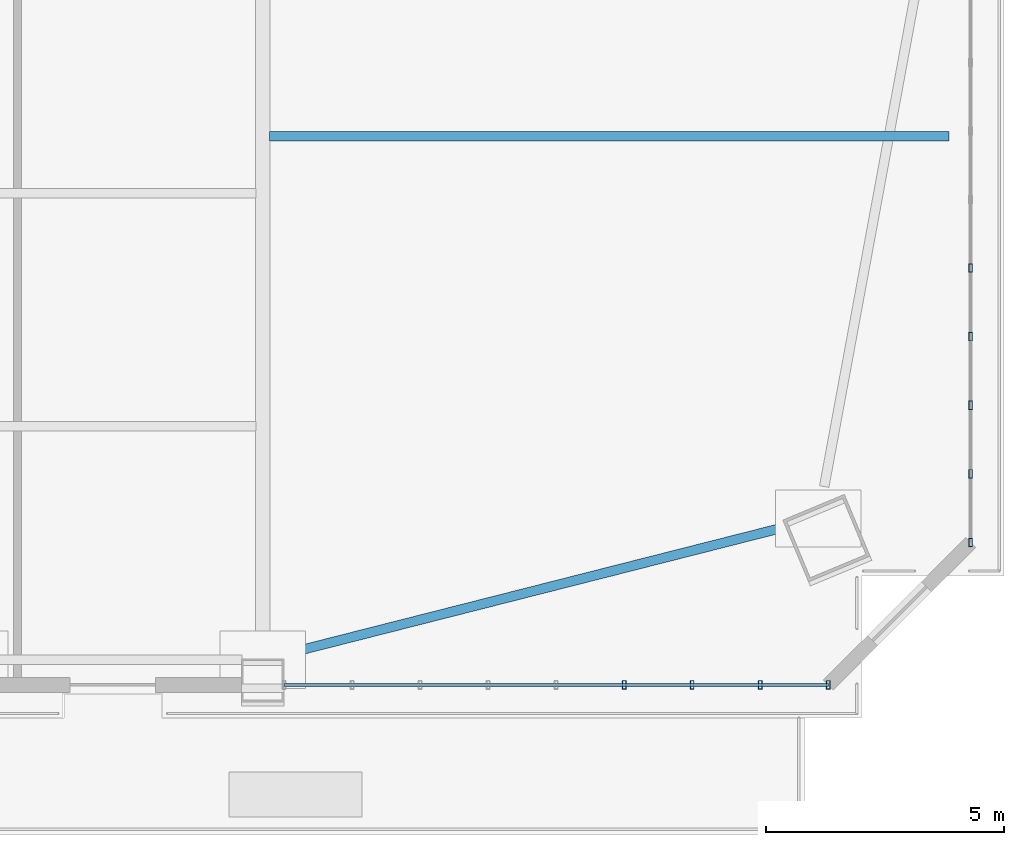
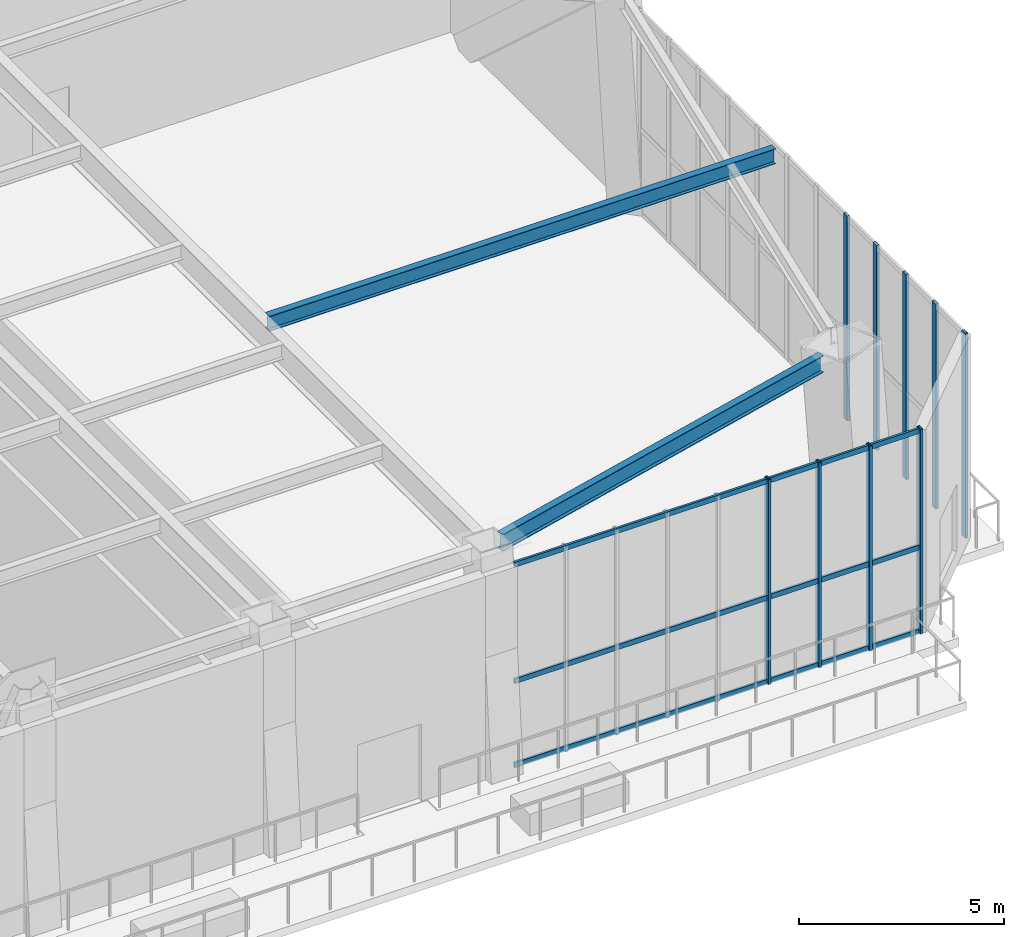
# One storey, part 8 of 22: 12 members, 2 beams, 2 elements without a shape of their own.
"""IFC4 building model written with IfcOpenShell, lengths in metres."""

from ifc_helpers import new_model, si_unit, direction, frame, origin, origin_2d, place, context, subcontext, project, spatial, hollow_rectangle, i_section, extrude, source, transform, mapped, material, layer, layer_set, material_profile, profile_set, type_object, element, aggregate, save


model = new_model("IFC4")

# Units and contexts
model_context = context("Model", 3, precision=1e-05, world=origin(), true_north=direction((0.0, 1.0)))
body_context = subcontext(model_context, "Body", "Model", "MODEL_VIEW")
ifc_project = project(units=[si_unit("LENGTHUNIT", "METRE"), si_unit("AREAUNIT", "SQUARE_METRE"), si_unit("VOLUMEUNIT", "CUBIC_METRE"), si_unit("PLANEANGLEUNIT", "RADIAN"), si_unit("MASSUNIT", "GRAM", prefix="KILO")], contexts=[model_context])

# Site, building, storey
site_placement = place(None, origin())
site = spatial("IfcSite", under=ifc_project, at=site_placement, CompositionType="ELEMENT")
building_placement = place(site_placement, origin())
building = spatial("IfcBuilding", under=site, at=building_placement, Name="Giltprow Tower", CompositionType="ELEMENT")
storey_placement = place(building_placement, frame((0.0, 0.0, 130.89990234375)))
storey = spatial("IfcBuildingStorey", under=building, at=storey_placement, Name="L32", CompositionType="ELEMENT", Elevation=130.89990234375)

# Beams
ifc_material_1 = material(Name="Structural steel Q355B", Category="steel")
ifc_material_profile_1 = material_profile(ifc_material_1, i_section(OverallWidth=0.199951171875, OverallDepth=0.5, WebThickness=0.010009765625, FlangeThickness=0.01611328125, at=origin_2d()), Name="HN 500x200x10x16")
ifc_profile_set_1 = profile_set([ifc_material_profile_1], Name="Structural steel Q355B")
beam_type_1 = type_object("IfcBeamType", Name="BM-SPAN-HN500", PredefinedType="SPANDREL", material=ifc_profile_set_1)
shared_shape_1 = source(origin(), body_context, "Body", "SweptSolid", [
    extrude(i_section(OverallWidth=0.199951171875, OverallDepth=0.5, WebThickness=0.010009765625, FlangeThickness=0.01611328125, at=origin_2d()), origin(), (0.0, 0.0, 1.0), 10.921142578125),
])
beam_1_placement = place(storey_placement, frame((50.971923828125, 8.152099609375, 6.320068359375), z_axis=(0.969215020998, 0.24621584651, 0.0), x_axis=(-0.24621584651, 0.969215020998, 0.0)))
element("IfcBeam", 1, at=beam_1_placement, inside=storey, type_object=beam_type_1, Name="L32 Perimeter Spandrel Beam S4-MC_SE", PredefinedType="SPANDREL", context=body_context, shape_type="MappedRepresentation", body=[
    mapped(shared_shape_1, transform((0.0, 0.0, 0.0), x_axis=(1.0, 0.0, 0.0), y_axis=(0.0, 1.0, 0.0), z_axis=(0.0, 0.0, 1.0), scale=1.0)),
])
ifc_material_profile_2 = material_profile(ifc_material_1, i_section(OverallWidth=0.199951171875, OverallDepth=0.449951171875, WebThickness=0.009033203125, FlangeThickness=0.013916015625, at=origin_2d()), Name="HN 450x200x9x14")
ifc_profile_set_2 = profile_set([ifc_material_profile_2], Name="Structural steel Q355B")
beam_type_2 = type_object("IfcBeamType", Name="BM-JOIST-HN450", PredefinedType="JOIST", material=ifc_profile_set_2)
shared_shape_2 = source(origin(), body_context, "Body", "SweptSolid", [
    extrude(i_section(OverallWidth=0.199951171875, OverallDepth=0.449951171875, WebThickness=0.009033203125, FlangeThickness=0.013916015625, at=origin_2d()), origin(), (0.0, 0.0, 1.0), 14.27099609375),
])
beam_2_placement = place(storey_placement, frame((50.695068359375, 19.041015625, 6.34521484375), z_axis=(1.0, 0.0, 0.0), x_axis=(0.0, 1.0, 0.0)))
element("IfcBeam", 2, at=beam_2_placement, inside=storey, type_object=beam_type_2, Name="L32 East Wing Floor Joist 1", PredefinedType="JOIST", context=body_context, shape_type="MappedRepresentation", body=[
    mapped(shared_shape_2, transform((0.0, 0.0, 0.0), x_axis=(1.0, 0.0, 0.0), y_axis=(0.0, 1.0, 0.0), z_axis=(0.0, 0.0, 1.0), scale=1.0)),
])

# Curtain wall, members
ifc_material_2 = material(Name="Anodized bronze", Category="metal")
ifc_layer = layer(ifc_material_2, 0.179931640625, Name="Anodized bronze")
ifc_layer_set = layer_set([ifc_layer], Name="Anodized bronze")
curtain_wall_type = type_object("IfcCurtainWallType", Name="CW-SKYGARDEN", PredefinedType="NOTDEFINED", material=ifc_layer_set)
curtain_wall_1_placement = place(storey_placement, origin())
curtain_wall_1 = element("IfcCurtainWall", 3, at=curtain_wall_1_placement, inside=storey, type_object=curtain_wall_type, Name="L32 South Recessed Curtain Wall 6", PredefinedType="NOTDEFINED")
ifc_material_profile_3 = material_profile(ifc_material_2, hollow_rectangle(XDim=0.06494140625, YDim=0.14990234375, WallThickness=0.006103515625, at=origin_2d()), Name="RHS 150x65x6")
ifc_profile_set_3 = profile_set([ifc_material_profile_3], Name="Anodized bronze")
member_type_1 = type_object("IfcMemberType", Name="CW-TRANSOM-150x65", PredefinedType="USERDEFINED", material=ifc_profile_set_3)
shared_shape_3 = source(origin(), body_context, "Body", "SweptSolid", [
    extrude(hollow_rectangle(XDim=0.06494140625, YDim=0.14990234375, WallThickness=0.006103515625, at=origin_2d()), origin(), (0.0, 0.0, 1.0), 11.429931640625),
])
member_1_placement = place(storey_placement, frame((51.0, 7.51806640625, 0.0400390625), z_axis=(1.0, 0.0, 0.0), x_axis=(0.0, 1.0, 0.0)))
member_1 = element("IfcMember", 4, at=member_1_placement, type_object=member_type_1, Name="L32 South Recessed Curtain Wall 6 Transom 1", ObjectType="TRANSOM", PredefinedType="USERDEFINED", context=body_context, shape_type="MappedRepresentation", body=[
    mapped(shared_shape_3, transform((0.0, 0.0, 0.0), x_axis=(1.0, 0.0, 0.0), y_axis=(0.0, 1.0, 0.0), z_axis=(0.0, 0.0, 1.0), scale=1.0)),
])
member_2_placement = place(storey_placement, frame((51.0, 7.51806640625, 2.541015625), z_axis=(1.0, 0.0, 0.0), x_axis=(0.0, 1.0, 0.0)))
member_2 = element("IfcMember", 5, at=member_2_placement, type_object=member_type_1, Name="L32 South Recessed Curtain Wall 6 Transom 2", ObjectType="TRANSOM", PredefinedType="USERDEFINED", context=body_context, shape_type="MappedRepresentation", body=[
    mapped(shared_shape_3, transform((0.0, 0.0, 0.0), x_axis=(1.0, 0.0, 0.0), y_axis=(0.0, 1.0, 0.0), z_axis=(0.0, 0.0, 1.0), scale=1.0)),
])
member_3_placement = place(storey_placement, frame((51.0, 7.51806640625, 6.010009765625), z_axis=(1.0, 0.0, 0.0), x_axis=(0.0, 1.0, 0.0)))
member_3 = element("IfcMember", 6, at=member_3_placement, type_object=member_type_1, Name="L32 South Recessed Curtain Wall 6 Transom 3", ObjectType="TRANSOM", PredefinedType="USERDEFINED", context=body_context, shape_type="MappedRepresentation", body=[
    mapped(shared_shape_3, transform((0.0, 0.0, 0.0), x_axis=(1.0, 0.0, 0.0), y_axis=(0.0, 1.0, 0.0), z_axis=(0.0, 0.0, 1.0), scale=1.0)),
])
ifc_material_profile_4 = material_profile(ifc_material_2, hollow_rectangle(XDim=0.074951171875, YDim=0.179931640625, WallThickness=0.008056640625, at=origin_2d()), Name="RHS 180x75x8")
ifc_profile_set_4 = profile_set([ifc_material_profile_4], Name="Anodized bronze")
member_type_2 = type_object("IfcMemberType", Name="CW-MULLION-180x75", PredefinedType="MULLION", material=ifc_profile_set_4)
shared_shape_4 = source(origin(), body_context, "Body", "SweptSolid", [
    extrude(hollow_rectangle(XDim=0.074951171875, YDim=0.179931640625, WallThickness=0.008056640625, at=origin_2d()), origin(), (0.0, 0.0, 1.0), 6.105224609375),
])
member_4_placement = place(storey_placement, frame((58.14404296875, 7.51806640625, -0.02001953125), z_axis=(0.0, 0.0, 1.0), x_axis=(1.0, 0.0, 0.0)))
member_4 = element("IfcMember", 7, at=member_4_placement, type_object=member_type_2, Name="L32 South Recessed Curtain Wall 6 Mullion 6", PredefinedType="MULLION", context=body_context, shape_type="MappedRepresentation", body=[
    mapped(shared_shape_4, transform((0.0, 0.0, 0.0), x_axis=(1.0, 0.0, 0.0), y_axis=(0.0, 1.0, 0.0), z_axis=(0.0, 0.0, 1.0), scale=1.0)),
])
member_5_placement = place(storey_placement, frame((59.572021484375, 7.51806640625, -0.02001953125), z_axis=(0.0, 0.0, 1.0), x_axis=(1.0, 0.0, 0.0)))
member_5 = element("IfcMember", 8, at=member_5_placement, type_object=member_type_2, Name="L32 South Recessed Curtain Wall 6 Mullion 7", PredefinedType="MULLION", context=body_context, shape_type="MappedRepresentation", body=[
    mapped(shared_shape_4, transform((0.0, 0.0, 0.0), x_axis=(1.0, 0.0, 0.0), y_axis=(0.0, 1.0, 0.0), z_axis=(0.0, 0.0, 1.0), scale=1.0)),
])
member_6_placement = place(storey_placement, frame((61.0009765625, 7.51806640625, -0.02001953125), z_axis=(0.0, 0.0, 1.0), x_axis=(1.0, 0.0, 0.0)))
member_6 = element("IfcMember", 9, at=member_6_placement, type_object=member_type_2, Name="L32 South Recessed Curtain Wall 6 Mullion 8", PredefinedType="MULLION", context=body_context, shape_type="MappedRepresentation", body=[
    mapped(shared_shape_4, transform((0.0, 0.0, 0.0), x_axis=(1.0, 0.0, 0.0), y_axis=(0.0, 1.0, 0.0), z_axis=(0.0, 0.0, 1.0), scale=1.0)),
])
member_7_placement = place(storey_placement, frame((62.429931640625, 7.51806640625, -0.02001953125), z_axis=(0.0, 0.0, 1.0), x_axis=(1.0, 0.0, 0.0)))
member_7 = element("IfcMember", 10, at=member_7_placement, type_object=member_type_2, Name="L32 South Recessed Curtain Wall 6 Mullion 9", PredefinedType="MULLION", context=body_context, shape_type="MappedRepresentation", body=[
    mapped(shared_shape_4, transform((0.0, 0.0, 0.0), x_axis=(1.0, 0.0, 0.0), y_axis=(0.0, 1.0, 0.0), z_axis=(0.0, 0.0, 1.0), scale=1.0)),
])
aggregate(curtain_wall_1, [member_4, member_5, member_6, member_7, member_1, member_2, member_3])

curtain_wall_2_placement = place(storey_placement, origin())
curtain_wall_2 = element("IfcCurtainWall", 11, at=curtain_wall_2_placement, inside=storey, type_object=curtain_wall_type, Name="L32 E Sky Garden Glazing", PredefinedType="NOTDEFINED")
member_8_placement = place(storey_placement, frame((65.4208984375, 10.509033203125, -0.02001953125), z_axis=(0.0, 0.0, 1.0), x_axis=(1.0, 0.0, 0.0)))
member_8 = element("IfcMember", 12, at=member_8_placement, type_object=member_type_2, Name="L32 E Sky Garden Glazing Mullion 1", PredefinedType="MULLION", context=body_context, shape_type="MappedRepresentation", body=[
    mapped(shared_shape_4, transform((0.0, 0.0, 0.0), x_axis=(1.0, 0.0, 0.0), y_axis=(0.0, 1.0, 0.0), z_axis=(0.0, 0.0, 1.0), scale=1.0)),
])
member_9_placement = place(storey_placement, frame((65.4208984375, 11.949951171875, -0.02001953125), z_axis=(0.0, 0.0, 1.0), x_axis=(1.0, 0.0, 0.0)))
member_9 = element("IfcMember", 13, at=member_9_placement, type_object=member_type_2, Name="L32 E Sky Garden Glazing Mullion 2", PredefinedType="MULLION", context=body_context, shape_type="MappedRepresentation", body=[
    mapped(shared_shape_4, transform((0.0, 0.0, 0.0), x_axis=(1.0, 0.0, 0.0), y_axis=(0.0, 1.0, 0.0), z_axis=(0.0, 0.0, 1.0), scale=1.0)),
])
member_10_placement = place(storey_placement, frame((65.4208984375, 13.39111328125, -0.02001953125), z_axis=(0.0, 0.0, 1.0), x_axis=(1.0, 0.0, 0.0)))
member_10 = element("IfcMember", 14, at=member_10_placement, type_object=member_type_2, Name="L32 E Sky Garden Glazing Mullion 3", PredefinedType="MULLION", context=body_context, shape_type="MappedRepresentation", body=[
    mapped(shared_shape_4, transform((0.0, 0.0, 0.0), x_axis=(1.0, 0.0, 0.0), y_axis=(0.0, 1.0, 0.0), z_axis=(0.0, 0.0, 1.0), scale=1.0)),
])
member_11_placement = place(storey_placement, frame((65.4208984375, 14.83203125, -0.02001953125), z_axis=(0.0, 0.0, 1.0), x_axis=(1.0, 0.0, 0.0)))
member_11 = element("IfcMember", 15, at=member_11_placement, type_object=member_type_2, Name="L32 E Sky Garden Glazing Mullion 4", PredefinedType="MULLION", context=body_context, shape_type="MappedRepresentation", body=[
    mapped(shared_shape_4, transform((0.0, 0.0, 0.0), x_axis=(1.0, 0.0, 0.0), y_axis=(0.0, 1.0, 0.0), z_axis=(0.0, 0.0, 1.0), scale=1.0)),
])
member_12_placement = place(storey_placement, frame((65.4208984375, 16.27294921875, -0.02001953125), z_axis=(0.0, 0.0, 1.0), x_axis=(1.0, 0.0, 0.0)))
member_12 = element("IfcMember", 16, at=member_12_placement, type_object=member_type_2, Name="L32 E Sky Garden Glazing Mullion 5", PredefinedType="MULLION", context=body_context, shape_type="MappedRepresentation", body=[
    mapped(shared_shape_4, transform((0.0, 0.0, 0.0), x_axis=(1.0, 0.0, 0.0), y_axis=(0.0, 1.0, 0.0), z_axis=(0.0, 0.0, 1.0), scale=1.0)),
])
aggregate(curtain_wall_2, [member_8, member_9, member_10, member_11, member_12])

save(model, "model.ifc")
